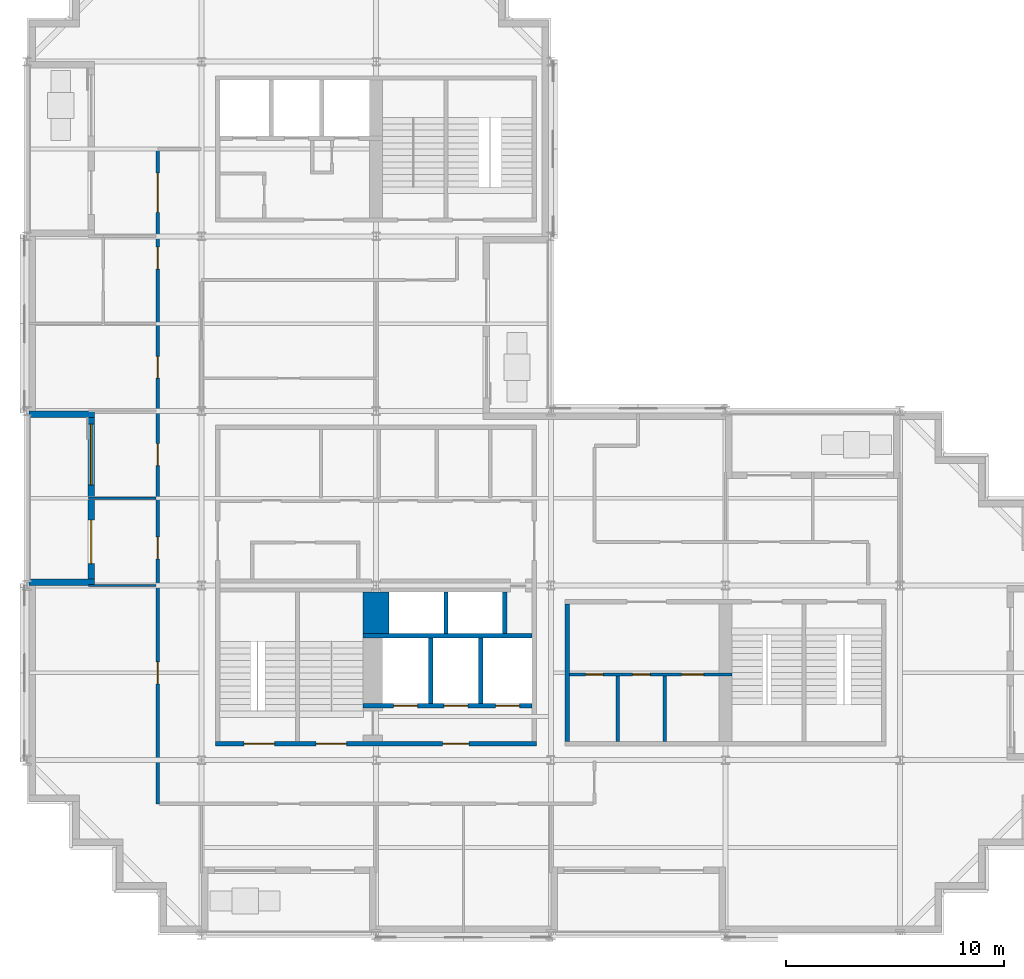
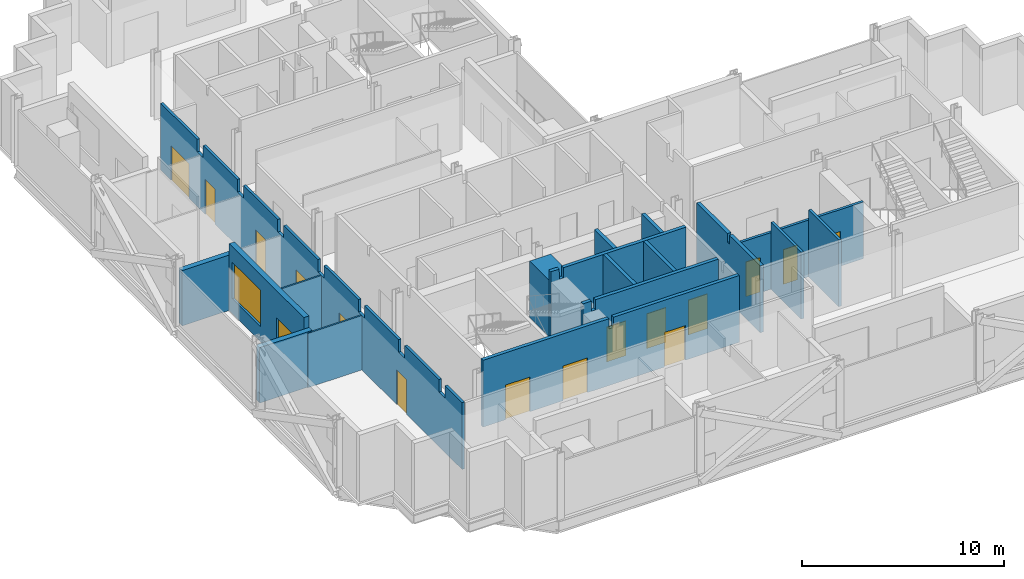
# One storey, part 5 of 12: 18 walls, 16 doors, 1 window, 17 openings.
"""IFC4 building model written with IfcOpenShell, lengths in metres."""

import ifcopenshell
import ifcopenshell.guid

model = None  # the IFC model being written
_history = None  # IfcOwnerHistory: only IFC2X3 demands one
_inside = {}  # id of a spatial element -> (the spatial element, [elements in it])
_under = {}  # id of a project, library or spatial element -> (it, [spatial elements below it])
_declared = {}  # id of a project -> (the project, [libraries it declares])
_typed = {}  # id of a type object -> (the type object, [elements of that type])
_made_of = {}  # id of a material, layer set ... -> (it, [elements and type objects made of it])


def new_model(schema):
    """Start an empty IFC model of exactly this schema.

    Asked for "IFC4X3", IfcOpenShell would pick the latest addendum, in which some entities
    have other attributes; the version numbers below select the first issue.
    IFC2X3 requires an IfcOwnerHistory on every rooted entity: one is made here for all.
    """
    global model, _history
    if schema == "IFC4X3":
        model = ifcopenshell.file(schema_version=(4, 3, 0, 0))
    else:
        model = ifcopenshell.file(schema=schema)
    _inside.clear()
    _under.clear()
    _declared.clear()
    _typed.clear()
    _made_of.clear()
    _history = None
    if model.schema == "IFC2X3":
        org = make("IfcOrganization", Name="unknown")
        user = make(
            "IfcPersonAndOrganization",
            ThePerson=make("IfcPerson", FamilyName="unknown"),
            TheOrganization=org,
        )
        app = make(
            "IfcApplication",
            ApplicationDeveloper=org,
            Version="unknown",
            ApplicationFullName="unknown",
            ApplicationIdentifier="unknown",
        )
        _history = make(
            "IfcOwnerHistory",
            OwningUser=user,
            OwningApplication=app,
            ChangeAction="ADDED",
            CreationDate=0,
        )
    return model


def make(cls, **values):
    """One entity of the class cls with the attributes given. An attribute that is None is left unset."""
    return model.create_entity(
        cls, **{name: value for name, value in values.items() if value is not None}
    )


def rooted(cls, **values):
    """An entity with a GlobalId (a new one), such as an element, a storey or a relation."""
    return make(cls, GlobalId=ifcopenshell.guid.new(), OwnerHistory=_history, **values)


def si_unit(unit_type, name, prefix=None):
    """IfcSIUnit, for example si_unit("LENGTHUNIT", "METRE", prefix="MILLI")."""
    return make("IfcSIUnit", UnitType=unit_type, Prefix=prefix, Name=name)


def assignment(units):
    """IfcUnitAssignment: the units of a project."""
    return None if units is None else make("IfcUnitAssignment", Units=units)


def point(xyz):
    """IfcCartesianPoint."""
    return None if xyz is None else make("IfcCartesianPoint", Coordinates=xyz)


def direction(xyz):
    """IfcDirection."""
    return None if xyz is None else make("IfcDirection", DirectionRatios=xyz)


def frame(location, z_axis=None, x_axis=None):
    """IfcAxis2Placement3D, a coordinate frame: its origin and axes. An axis left out is left unset."""
    return make(
        "IfcAxis2Placement3D",
        Location=point(location),
        Axis=direction(z_axis),
        RefDirection=direction(x_axis),
    )


def frame_2d(location, x_axis=None):
    """IfcAxis2Placement2D, a coordinate frame in the plane: its origin and x axis."""
    return make(
        "IfcAxis2Placement2D", Location=point(location), RefDirection=direction(x_axis)
    )


def origin():
    """The frame at (0, 0, 0) with its axes left unset."""
    return frame((0.0, 0.0, 0.0))


def place(relative_to, where):
    """IfcLocalPlacement: puts the frame where relative to a parent placement (None: the world)."""
    return make(
        "IfcLocalPlacement", PlacementRelTo=relative_to, RelativePlacement=where
    )


def context(
    kind, dimensions, precision=None, world=None, true_north=None, identifier=None
):
    """IfcGeometricRepresentationContext, for example the 3D "Model" context."""
    return make(
        "IfcGeometricRepresentationContext",
        ContextIdentifier=identifier,
        ContextType=kind,
        CoordinateSpaceDimension=dimensions,
        Precision=precision,
        WorldCoordinateSystem=world,
        TrueNorth=true_north,
    )


def subcontext(parent, identifier, kind, view, scale=None):
    """IfcGeometricRepresentationSubContext, for example "Body" below "Model"."""
    return make(
        "IfcGeometricRepresentationSubContext",
        ContextIdentifier=identifier,
        ContextType=kind,
        ParentContext=parent,
        TargetScale=scale,
        TargetView=view,
    )


def project(units=None, contexts=None):
    """IfcProject with its units and contexts."""
    return rooted(
        "IfcProject",
        Name="project",
        RepresentationContexts=contexts,
        UnitsInContext=assignment(units),
    )


def spatial(cls, under=None, at=None, **own):
    """A site, building, storey or space (cls), placed at a placement, below another one or the project."""
    s = rooted(cls, ObjectPlacement=at, **own)
    if under is not None:
        _under.setdefault(under.id(), (under, []))[1].append(s)
    return s


def polyline(points):
    """IfcPolyline through the points."""
    return make("IfcPolyline", Points=[point(p) for p in points])


def profile(cls, at=None, kind="AREA", **sizes):
    """A parametric profile (cls). Its sizes go by their IFC names, for example OverallWidth=200.0."""
    return make(cls, ProfileType=kind, Position=at, **sizes)


def rectangle(**sizes):
    """IfcRectangleProfileDef."""
    return profile("IfcRectangleProfileDef", **sizes)


def outline(outer, holes=None, kind="AREA"):
    """IfcArbitraryClosedProfileDef: a profile drawn as a closed curve; with holes, ...WithVoids."""
    if holes is None:
        return make("IfcArbitraryClosedProfileDef", ProfileType=kind, OuterCurve=outer)
    return make(
        "IfcArbitraryProfileDefWithVoids",
        ProfileType=kind,
        OuterCurve=outer,
        InnerCurves=holes,
    )


def extrude(swept, where, along, depth):
    """IfcExtrudedAreaSolid: the profile swept, set in the frame where, extruded along a direction by depth."""
    return make(
        "IfcExtrudedAreaSolid",
        SweptArea=swept,
        Position=where,
        ExtrudedDirection=direction(along),
        Depth=depth,
    )


def shape(context_of_items, identifier, shape_type, items):
    """IfcShapeRepresentation: the items that make up one representation, for example the "Body"."""
    return make(
        "IfcShapeRepresentation",
        ContextOfItems=context_of_items,
        RepresentationIdentifier=identifier,
        RepresentationType=shape_type,
        Items=items,
    )


def material(Name=None, Category=None):
    """IfcMaterial."""
    return make("IfcMaterial", Name=Name, Category=Category)


def layer(
    of_material, thickness, ventilated=None, Name=None, Category=None, Priority=None
):
    """IfcMaterialLayer: one layer of a wall or slab, of a material (None: an air gap)."""
    return make(
        "IfcMaterialLayer",
        Material=of_material,
        LayerThickness=thickness,
        IsVentilated=ventilated,
        Name=Name,
        Category=Category,
        Priority=Priority,
    )


def layer_set(layers, Name=None):
    """IfcMaterialLayerSet."""
    return make("IfcMaterialLayerSet", MaterialLayers=layers, LayerSetName=Name)


def made_of(thing, what):
    """Note that an element or type object is made of a material, layer set ...; save() writes the relation."""
    if what is not None:
        _made_of.setdefault(what.id(), (what, []))[1].append(thing)
    return thing


def type_object(cls, material=None, **own):
    """A type object (cls), such as IfcWallType, which elements share."""
    return made_of(rooted(cls, **own), material)


def element(
    cls,
    number,
    at=None,
    inside=None,
    cuts=None,
    type_object=None,
    material=None,
    context=None,
    identifier="Body",
    shape_type=None,
    held_by="IfcProductDefinitionShape",
    body=None,
    shapes=None,
    **own,
):
    """One element of the class cls, such as IfcWall. Its Tag is "e" and its number.

    at: its placement. inside: the storey or other place that contains it. cuts: it is an
    opening in that element (IfcRelVoidsElement). A single representation is given by context,
    identifier, shape_type and body (its items); several are given by shapes. held_by: the class
    of the entity that holds the representations. save() writes the other relations.
    """
    e = rooted(cls, Tag="e%d" % number, ObjectPlacement=at, **own)
    if body is not None:
        shapes = [shape(context, identifier, shape_type, body)]
    if shapes is not None:
        e.Representation = make(held_by, Representations=shapes)
    if inside is not None:
        _inside.setdefault(inside.id(), (inside, []))[1].append(e)
    if cuts is not None:
        rooted(
            "IfcRelVoidsElement", RelatingBuildingElement=cuts, RelatedOpeningElement=e
        )
    if type_object is not None:
        _typed.setdefault(type_object.id(), (type_object, []))[1].append(e)
    return made_of(e, material)


def fill(opening, filler):
    """IfcRelFillsElement: the door or window that sits in an opening."""
    return rooted(
        "IfcRelFillsElement",
        RelatingOpeningElement=opening,
        RelatedBuildingElement=filler,
    )


def aggregate(whole, parts):
    """IfcRelAggregates: a whole, such as a stair, and the parts it consists of."""
    return rooted("IfcRelAggregates", RelatingObject=whole, RelatedObjects=parts)


def save(model, path):
    """Write the relations noted so far, then the file.

    IfcRelAggregates (storeys below a building ...), IfcRelContainedInSpatialStructure (elements
    in a storey), IfcRelDefinesByType, IfcRelAssociatesMaterial and IfcRelDeclares: one each for
    every whole, place, type object, material and project.
    """
    for whole, parts in _under.values():
        aggregate(whole, parts)
    for where, things in _inside.values():
        rooted(
            "IfcRelContainedInSpatialStructure",
            RelatedElements=things,
            RelatingStructure=where,
        )
    for kind, things in _typed.values():
        rooted("IfcRelDefinesByType", RelatedObjects=things, RelatingType=kind)
    for what, things in _made_of.values():
        rooted("IfcRelAssociatesMaterial", RelatedObjects=things, RelatingMaterial=what)
    for by, libraries in _declared.values():
        rooted("IfcRelDeclares", RelatingContext=by, RelatedDefinitions=libraries)
    model.write(path)


model = new_model("IFC4")

# Units and contexts
model_context = context("Model", 3, precision=1e-05, world=origin(), true_north=direction((0.0, 1.0)))
body_context = subcontext(model_context, "Body", "Model", "MODEL_VIEW")
ifc_project = project(units=[si_unit("LENGTHUNIT", "METRE"), si_unit("AREAUNIT", "SQUARE_METRE"), si_unit("VOLUMEUNIT", "CUBIC_METRE"), si_unit("PLANEANGLEUNIT", "RADIAN"), si_unit("MASSUNIT", "GRAM", prefix="KILO")], contexts=[model_context])

# Site, building, storey
site_placement = place(None, origin())
site = spatial("IfcSite", under=ifc_project, at=site_placement, CompositionType="ELEMENT")
building_placement = place(site_placement, origin())
building = spatial("IfcBuilding", under=site, at=building_placement, Name="Immortelle Media Tower", CompositionType="ELEMENT")
storey_placement = place(building_placement, frame((0.0, 0.0, 145.199951171875)))
storey = spatial("IfcBuildingStorey", under=building, at=storey_placement, Name="L29", CompositionType="ELEMENT", Elevation=145.199951171875)

# Wall, openings, doors
ifc_material_1 = material(Name="Fire-rated gypsum board", Category="gypsum")
ifc_layer_1 = layer(ifc_material_1, 0.02490234375)
ifc_material_2 = material(Name="Steel ASTM A653 SS Gr 50 stud frame with mineral wool", Category="steel")
ifc_layer_2 = layer(ifc_material_2, 0.10009765625)
ifc_layer_3 = layer(ifc_material_1, 0.02490234375)
ifc_layer_set_1 = layer_set([ifc_layer_1, ifc_layer_2, ifc_layer_3], Name="Steel ASTM A653 SS Gr 50 stud frame with mineral wool")
wall_type_1 = type_object("IfcWallType", Name="Core partition 150", PredefinedType="PARTITIONING", material=ifc_layer_set_1)
wall_1_placement = place(storey_placement, frame((24.85009765625, 11.925048828125, 0.0), z_axis=(0.0, 0.0, 1.0), x_axis=(1.0, 0.0, 0.0)))
wall_1 = element("IfcWall", 1, at=wall_1_placement, inside=storey, type_object=wall_type_1, Name="Core partition SE", PredefinedType="PARTITIONING", context=body_context, shape_type="SweptSolid", body=[
    extrude(rectangle(XDim=7.449951171875, YDim=0.14990234375, at=frame_2d((3.72509765625, 0.0))), origin(), (0.0, 0.0, 1.0), 3.43212890625),
])
opening_1_placement = place(wall_1_placement, frame((1.550048828125, 0.0, 0.0), z_axis=(0.0, 0.0, 1.0), x_axis=(-1.0, 0.0, 0.0)))
opening_1 = element("IfcOpeningElement", 2, at=opening_1_placement, cuts=wall_1, Name="Opening C3-K017", PredefinedType="OPENING", context=body_context, shape_type="SweptSolid", body=[
    extrude(rectangle(XDim=0.800048828125, YDim=2.10009765625, at=frame_2d((0.39990234375, 1.050048828125))), frame((0.0, 0.0849609375, 0.0), z_axis=(0.0, -1.0, 0.0), x_axis=(1.0, 0.0, 0.0)), (0.0, 0.0, 1.0), 0.169921875),
])
opening_2_placement = place(wall_1_placement, frame((3.699951171875, 0.0, 0.0), z_axis=(0.0, 0.0, 1.0), x_axis=(-1.0, 0.0, 0.0)))
opening_2 = element("IfcOpeningElement", 3, at=opening_2_placement, cuts=wall_1, Name="Opening C3-K018", PredefinedType="OPENING", context=body_context, shape_type="SweptSolid", body=[
    extrude(rectangle(XDim=0.800048828125, YDim=2.10009765625, at=frame_2d((0.39990234375, 1.050048828125))), frame((0.0, 0.0849609375, 0.0), z_axis=(0.0, -1.0, 0.0), x_axis=(1.0, 0.0, 0.0)), (0.0, 0.0, 1.0), 0.169921875),
])
opening_3_placement = place(wall_1_placement, frame((6.14990234375, 0.0, 0.0), z_axis=(0.0, 0.0, 1.0), x_axis=(-1.0, 0.0, 0.0)))
opening_3 = element("IfcOpeningElement", 4, at=opening_3_placement, cuts=wall_1, Name="Opening C3-K020", PredefinedType="OPENING", context=body_context, shape_type="SweptSolid", body=[
    extrude(rectangle(XDim=1.0, YDim=2.10009765625, at=frame_2d((0.5, 1.050048828125))), frame((0.0, 0.0849609375, 0.0), z_axis=(0.0, -1.0, 0.0), x_axis=(1.0, 0.0, 0.0)), (0.0, 0.0, 1.0), 0.169921875),
])
ifc_material_3 = material(Name="Timber", Category="wood")
door_type_1 = type_object("IfcDoorType", Name="Accessible toilet door 1000 x 2100", OperationType="NOTDEFINED", PredefinedType="NOTDEFINED", material=ifc_material_3)
door_1_placement = place(opening_3_placement, origin())
door_1 = element("IfcDoor", 5, at=door_1_placement, inside=storey, type_object=door_type_1, Name="Accessible toilet C3-K020", OperationType="SINGLE_SWING_LEFT", OverallHeight=2.10009765625, OverallWidth=1.0, PredefinedType="NOTDEFINED", context=body_context, shape_type="SweptSolid", body=[
    extrude(rectangle(XDim=1.0, YDim=2.10009765625, at=frame_2d((0.5, 1.050048828125))), frame((0.0, 0.02490234375, 0.0), z_axis=(0.0, -1.0, 0.0), x_axis=(1.0, 0.0, 0.0)), (0.0, 0.0, 1.0), 0.050048828125),
])
fill(opening_3, door_1)
door_type_2 = type_object("IfcDoorType", Name="Toilet door 800 x 2100", OperationType="NOTDEFINED", PredefinedType="NOTDEFINED", material=ifc_material_3)
door_2_placement = place(opening_1_placement, origin())
door_2 = element("IfcDoor", 6, at=door_2_placement, inside=storey, type_object=door_type_2, Name="Toilet C3-K017", OperationType="SINGLE_SWING_LEFT", OverallHeight=2.10009765625, OverallWidth=0.800048828125, PredefinedType="NOTDEFINED", context=body_context, shape_type="SweptSolid", body=[
    extrude(rectangle(XDim=0.800048828125, YDim=2.10009765625, at=frame_2d((0.39990234375, 1.050048828125))), frame((0.0, 0.02490234375, 0.0), z_axis=(0.0, -1.0, 0.0), x_axis=(1.0, 0.0, 0.0)), (0.0, 0.0, 1.0), 0.050048828125),
])
fill(opening_1, door_2)
door_3_placement = place(opening_2_placement, origin())
door_3 = element("IfcDoor", 7, at=door_3_placement, inside=storey, type_object=door_type_2, Name="Toilet C3-K018", OperationType="SINGLE_SWING_LEFT", OverallHeight=2.10009765625, OverallWidth=0.800048828125, PredefinedType="NOTDEFINED", context=body_context, shape_type="SweptSolid", body=[
    extrude(rectangle(XDim=0.800048828125, YDim=2.10009765625, at=frame_2d((0.39990234375, 1.050048828125))), frame((0.0, 0.02490234375, 0.0), z_axis=(0.0, -1.0, 0.0), x_axis=(1.0, 0.0, 0.0)), (0.0, 0.0, 1.0), 0.050048828125),
])
fill(opening_2, door_3)

# Walls
for number, where, z_axis, x_axis, name in (
    (8, (27.074951171875, 8.85009765625, 0.0), (0.0, 0.0, 1.0), (0.0, 1.0, 0.0), "Core partition SE"),
    (9, (29.22509765625, 8.85009765625, 0.0), (0.0, 0.0, 1.0), (0.0, 1.0, 0.0), "Core partition SE"),
):
    element("IfcWall", number, at=place(storey_placement, frame(where, z_axis=z_axis, x_axis=x_axis)), inside=storey, type_object=wall_type_1, Name=name, PredefinedType="PARTITIONING", context=body_context, shape_type="SweptSolid", body=[
        extrude(rectangle(XDim=3.0, YDim=0.14990234375, at=frame_2d((1.5, 0.0))), origin(), (0.0, 0.0, 1.0), 4.050048828125),
    ])

# Wall, openings, doors
ifc_layer_4 = layer(ifc_material_1, 0.03759765625)
ifc_layer_5 = layer(ifc_material_2, 0.125)
ifc_layer_6 = layer(ifc_material_1, 0.03759765625)
ifc_layer_set_2 = layer_set([ifc_layer_4, ifc_layer_5, ifc_layer_6], Name="Steel ASTM A653 SS Gr 50 stud frame with mineral wool")
wall_type_2 = type_object("IfcWallType", Name="Core shaft wall 200", PredefinedType="PARTITIONING", material=ifc_layer_set_2)
wall_2_placement = place(storey_placement, frame((15.39990234375, 10.5, 0.0), z_axis=(0.0, 0.0, 1.0), x_axis=(1.0, 0.0, 0.0)))
wall_2 = element("IfcWall", 10, at=wall_2_placement, inside=storey, type_object=wall_type_2, Name="Core shaft wall SW", PredefinedType="PARTITIONING", context=body_context, shape_type="SweptSolid", body=[
    extrude(outline(polyline([(0.0, 0.0), (7.75, 0.0), (7.75, 4.050048828125), (0.719482421875, 4.050048828125), (0.718505859375, 3.43212890625), (0.4814453125, 3.43212890625), (0.48046875, 4.050048828125), (0.0, 4.050048828125), (0.0, 0.0)])), frame((0.0, 0.10009765625, 0.0), z_axis=(0.0, -1.0, 0.0), x_axis=(1.0, 0.0, 0.0)), (0.0, 0.0, 1.0), 0.199951171875),
])
opening_4_placement = place(wall_2_placement, frame((1.39990234375, 0.0, 0.0)))
opening_4 = element("IfcOpeningElement", 11, at=opening_4_placement, cuts=wall_2, Name="Opening LD", PredefinedType="OPENING", context=body_context, shape_type="SweptSolid", body=[
    extrude(rectangle(XDim=1.10009765625, YDim=2.10009765625, at=frame_2d((0.550048828125, 1.050048828125))), frame((0.0, 0.10986328125, 0.0), z_axis=(0.0, -1.0, 0.0), x_axis=(1.0, 0.0, 0.0)), (0.0, 0.0, 1.0), 0.219970703125),
])
opening_5_placement = place(wall_2_placement, frame((3.699951171875, 0.0, 0.0)))
opening_5 = element("IfcOpeningElement", 12, at=opening_5_placement, cuts=wall_2, Name="Opening LD", PredefinedType="OPENING", context=body_context, shape_type="SweptSolid", body=[
    extrude(rectangle(XDim=1.10009765625, YDim=2.10009765625, at=frame_2d((0.550048828125, 1.050048828125))), frame((0.0, 0.10986328125, 0.0), z_axis=(0.0, -1.0, 0.0), x_axis=(1.0, 0.0, 0.0)), (0.0, 0.0, 1.0), 0.219970703125),
])
opening_6_placement = place(wall_2_placement, frame((6.074951171875, 0.0, 0.0)))
opening_6 = element("IfcOpeningElement", 13, at=opening_6_placement, cuts=wall_2, Name="Opening LD", PredefinedType="OPENING", context=body_context, shape_type="SweptSolid", body=[
    extrude(rectangle(XDim=1.10009765625, YDim=2.10009765625, at=frame_2d((0.550048828125, 1.050048828125))), frame((0.0, 0.10986328125, 0.0), z_axis=(0.0, -1.0, 0.0), x_axis=(1.0, 0.0, 0.0)), (0.0, 0.0, 1.0), 0.219970703125),
])
ifc_material_4 = material(Name="Stainless steel AISI 304", Category="steel")
door_type_3 = type_object("IfcDoorType", Name="Landing door 1100 x 2100", OperationType="SLIDING_TO_LEFT", PredefinedType="NOTDEFINED", material=ifc_material_4)
door_4_placement = place(opening_4_placement, origin())
door_4 = element("IfcDoor", 14, at=door_4_placement, inside=storey, type_object=door_type_3, Name="Landing door FF1 L29", OperationType="SLIDING_TO_LEFT", OverallHeight=2.10009765625, OverallWidth=1.10009765625, PredefinedType="NOTDEFINED", context=body_context, shape_type="SweptSolid", body=[
    extrude(rectangle(XDim=1.10009765625, YDim=2.10009765625, at=frame_2d((0.550048828125, 1.050048828125))), frame((0.0, 0.02490234375, 0.0), z_axis=(0.0, -1.0, 0.0), x_axis=(1.0, 0.0, 0.0)), (0.0, 0.0, 1.0), 0.050048828125),
])
fill(opening_4, door_4)
door_5_placement = place(opening_5_placement, origin())
door_5 = element("IfcDoor", 15, at=door_5_placement, inside=storey, type_object=door_type_3, Name="Landing door FF2 L29", OperationType="SLIDING_TO_LEFT", OverallHeight=2.10009765625, OverallWidth=1.10009765625, PredefinedType="NOTDEFINED", context=body_context, shape_type="SweptSolid", body=[
    extrude(rectangle(XDim=1.10009765625, YDim=2.10009765625, at=frame_2d((0.550048828125, 1.050048828125))), frame((0.0, 0.02490234375, 0.0), z_axis=(0.0, -1.0, 0.0), x_axis=(1.0, 0.0, 0.0)), (0.0, 0.0, 1.0), 0.050048828125),
])
fill(opening_5, door_5)
door_6_placement = place(opening_6_placement, origin())
door_6 = element("IfcDoor", 16, at=door_6_placement, inside=storey, type_object=door_type_3, Name="Landing door FF3 L29", OperationType="SLIDING_TO_LEFT", OverallHeight=2.10009765625, OverallWidth=1.10009765625, PredefinedType="NOTDEFINED", context=body_context, shape_type="SweptSolid", body=[
    extrude(rectangle(XDim=1.10009765625, YDim=2.10009765625, at=frame_2d((0.550048828125, 1.050048828125))), frame((0.0, 0.02490234375, 0.0), z_axis=(0.0, -1.0, 0.0), x_axis=(1.0, 0.0, 0.0)), (0.0, 0.0, 1.0), 0.050048828125),
])
fill(opening_6, door_6)

# Walls
wall_3_placement = place(storey_placement, frame((15.39990234375, 13.699951171875, 0.0), z_axis=(0.0, 0.0, 1.0), x_axis=(1.0, 0.0, 0.0)))
element("IfcWall", 17, at=wall_3_placement, inside=storey, type_object=wall_type_2, Name="Core shaft wall SW", PredefinedType="PARTITIONING", context=body_context, shape_type="SweptSolid", body=[
    extrude(outline(polyline([(0.0, 0.0), (7.75, 0.0), (7.75, 4.050048828125), (0.719482421875, 4.050048828125), (0.718505859375, 3.43212890625), (0.4814453125, 3.43212890625), (0.48046875, 4.050048828125), (0.0, 4.050048828125), (0.0, 0.0)])), frame((0.0, 0.10009765625, 0.0), z_axis=(0.0, -1.0, 0.0), x_axis=(1.0, 0.0, 0.0)), (0.0, 0.0, 1.0), 0.199951171875),
])
wall_4_placement = place(storey_placement, frame((18.5, 10.60009765625, 0.0), z_axis=(0.0, 0.0, 1.0), x_axis=(0.0, 1.0, 0.0)))
element("IfcWall", 18, at=wall_4_placement, inside=storey, type_object=wall_type_2, Name="Core shaft wall SW", PredefinedType="PARTITIONING", context=body_context, shape_type="SweptSolid", body=[
    extrude(rectangle(XDim=3.0, YDim=0.199951171875, at=frame_2d((1.5, 0.0))), origin(), (0.0, 0.0, 1.0), 4.050048828125),
])
wall_5_placement = place(storey_placement, frame((19.199951171875, 13.800048828125, 0.0), z_axis=(0.0, 0.0, 1.0), x_axis=(0.0, 1.0, 0.0)))
element("IfcWall", 19, at=wall_5_placement, inside=storey, type_object=wall_type_2, Name="Core shaft wall SW", PredefinedType="PARTITIONING", context=body_context, shape_type="SweptSolid", body=[
    extrude(rectangle(XDim=1.89990234375, YDim=0.199951171875, at=frame_2d((0.949951171875, 0.0))), origin(), (0.0, 0.0, 1.0), 4.050048828125),
])
wall_6_placement = place(storey_placement, frame((20.800048828125, 10.60009765625, 0.0), z_axis=(0.0, 0.0, 1.0), x_axis=(0.0, 1.0, 0.0)))
element("IfcWall", 20, at=wall_6_placement, inside=storey, type_object=wall_type_2, Name="Core shaft wall SW", PredefinedType="PARTITIONING", context=body_context, shape_type="SweptSolid", body=[
    extrude(rectangle(XDim=3.0, YDim=0.199951171875, at=frame_2d((1.5, 0.0))), origin(), (0.0, 0.0, 1.0), 4.050048828125),
])
wall_7_placement = place(storey_placement, frame((21.89990234375, 13.800048828125, 0.0), z_axis=(0.0, 0.0, 1.0), x_axis=(0.0, 1.0, 0.0)))
element("IfcWall", 21, at=wall_7_placement, inside=storey, type_object=wall_type_2, Name="Core shaft wall SW", PredefinedType="PARTITIONING", context=body_context, shape_type="SweptSolid", body=[
    extrude(rectangle(XDim=1.89990234375, YDim=0.199951171875, at=frame_2d((0.949951171875, 0.0))), origin(), (0.0, 0.0, 1.0), 4.050048828125),
])
wall_8_placement = place(storey_placement, frame((24.75, 8.85009765625, 0.0), z_axis=(0.0, 0.0, 1.0), x_axis=(0.0, 1.0, 0.0)))
element("IfcWall", 22, at=wall_8_placement, inside=storey, type_object=wall_type_2, Name="Core shaft wall SE", PredefinedType="PARTITIONING", context=body_context, shape_type="SweptSolid", body=[
    extrude(outline(polyline([(0.0, 0.0), (6.2998046875, 0.0), (6.300048828125, 4.050048828125), (3.237548828125, 4.050048828125), (3.236572265625, 3.51806640625), (3.0634765625, 3.51806640625), (3.0625, 4.050048828125), (0.0, 4.050048828125), (0.0, 0.0)])), frame((0.0, 0.10009765625, 0.0), z_axis=(0.0, -1.0, 0.0), x_axis=(1.0, 0.0, 0.0)), (0.0, 0.0, 1.0), 0.199951171875),
])

# Wall, openings, doors
ifc_layer_7 = layer(ifc_material_1, 0.012451171875)
ifc_layer_8 = layer(ifc_material_2, 0.125)
ifc_layer_9 = layer(ifc_material_1, 0.012451171875)
ifc_layer_set_3 = layer_set([ifc_layer_7, ifc_layer_8, ifc_layer_9], Name="Steel ASTM A653 SS Gr 50 stud frame with mineral wool")
wall_type_3 = type_object("IfcWallType", Name="Corridor wall 150", PredefinedType="PARTITIONING", material=ifc_layer_set_3)
wall_9_placement = place(storey_placement, frame((6.0, 6.0, 0.0), z_axis=(0.0, 0.0, 1.0), x_axis=(0.0, 1.0, 0.0)))
wall_9 = element("IfcWall", 23, at=wall_9_placement, inside=storey, type_object=wall_type_3, Name="Partition L29-006", PredefinedType="PARTITIONING", context=body_context, shape_type="SweptSolid", body=[
    extrude(outline(polyline([(0.0, 0.0), (29.925048828125, 0.0), (29.925048828125, 4.050048828125), (26.300048828125, 4.050048828125), (26.298095703125, 3.2880859375), (25.701904296875, 3.2880859375), (25.699951171875, 4.050048828125), (22.300048828125, 4.050048828125), (22.298095703125, 3.2880859375), (21.701904296875, 3.2880859375), (21.699951171875, 4.050048828125), (18.300048828125, 4.050048828125), (18.298095703125, 3.2880859375), (17.701904296875, 3.2880859375), (17.699951171875, 4.050048828125), (14.300048828125, 4.050048828125), (14.298095703125, 3.2880859375), (13.701904296875, 3.2880859375), (13.699951171875, 4.050048828125), (10.300048828125, 4.050048828125), (10.298095703125, 3.2880859375), (9.701904296875, 3.2880859375), (9.699951171875, 4.050048828125), (6.300048828125, 4.050048828125), (6.298095703125, 3.2880859375), (5.701904296875, 3.2880859375), (5.699951171875, 4.050048828125), (2.300048828125, 4.050048828125), (2.298095703125, 3.2880859375), (1.701904296875, 3.2880859375), (1.699951171875, 4.050048828125), (0.0, 4.050048828125), (0.0, 0.0)])), frame((0.0, 0.074951171875, 0.0), z_axis=(0.0, -1.0, 0.0), x_axis=(1.0, 0.0, 0.0)), (0.0, 0.0, 1.0), 0.14990234375),
])
opening_7_placement = place(wall_9_placement, frame((5.5, 0.0, 0.0)))
opening_7 = element("IfcOpeningElement", 24, at=opening_7_placement, cuts=wall_9, Name="Opening C3-F005", PredefinedType="OPENING", context=body_context, shape_type="SweptSolid", body=[
    extrude(rectangle(XDim=1.0, YDim=2.10009765625, at=frame_2d((0.5, 1.050048828125))), frame((0.0, 0.0849609375, 0.0), z_axis=(0.0, -1.0, 0.0), x_axis=(1.0, 0.0, 0.0)), (0.0, 0.0, 1.0), 0.169921875),
])
opening_8_placement = place(wall_9_placement, frame((11.22509765625, 0.0, 0.0)))
opening_8 = element("IfcOpeningElement", 25, at=opening_8_placement, cuts=wall_9, Name="Opening C3-F008", PredefinedType="OPENING", context=body_context, shape_type="SweptSolid", body=[
    extrude(rectangle(XDim=1.0, YDim=2.10009765625, at=frame_2d((0.5, 1.050048828125))), frame((0.0, 0.0849609375, 0.0), z_axis=(0.0, -1.0, 0.0), x_axis=(1.0, 0.0, 0.0)), (0.0, 0.0, 1.0), 0.169921875),
])
opening_9_placement = place(wall_9_placement, frame((15.5, 0.0, 0.0)))
opening_9 = element("IfcOpeningElement", 26, at=opening_9_placement, cuts=wall_9, Name="Opening C3-F009", PredefinedType="OPENING", context=body_context, shape_type="SweptSolid", body=[
    extrude(rectangle(XDim=1.0, YDim=2.10009765625, at=frame_2d((0.5, 1.050048828125))), frame((0.0, 0.0849609375, 0.0), z_axis=(0.0, -1.0, 0.0), x_axis=(1.0, 0.0, 0.0)), (0.0, 0.0, 1.0), 0.169921875),
])
opening_10_placement = place(wall_9_placement, frame((19.5, 0.0, 0.0)))
opening_10 = element("IfcOpeningElement", 27, at=opening_10_placement, cuts=wall_9, Name="Opening C3-F014", PredefinedType="OPENING", context=body_context, shape_type="SweptSolid", body=[
    extrude(rectangle(XDim=1.0, YDim=2.10009765625, at=frame_2d((0.5, 1.050048828125))), frame((0.0, 0.0849609375, 0.0), z_axis=(0.0, -1.0, 0.0), x_axis=(1.0, 0.0, 0.0)), (0.0, 0.0, 1.0), 0.169921875),
])
opening_11_placement = place(wall_9_placement, frame((24.5, 0.0, 0.0)))
opening_11 = element("IfcOpeningElement", 28, at=opening_11_placement, cuts=wall_9, Name="Opening C3-F015", PredefinedType="OPENING", context=body_context, shape_type="SweptSolid", body=[
    extrude(rectangle(XDim=1.0, YDim=2.10009765625, at=frame_2d((0.5, 1.050048828125))), frame((0.0, 0.0849609375, 0.0), z_axis=(0.0, -1.0, 0.0), x_axis=(1.0, 0.0, 0.0)), (0.0, 0.0, 1.0), 0.169921875),
])
opening_12_placement = place(wall_9_placement, frame((27.10009765625, 0.0, 0.0)))
opening_12 = element("IfcOpeningElement", 29, at=opening_12_placement, cuts=wall_9, Name="Opening C3-F017", PredefinedType="OPENING", context=body_context, shape_type="SweptSolid", body=[
    extrude(rectangle(XDim=1.800048828125, YDim=2.10009765625, at=frame_2d((0.89990234375, 1.050048828125))), frame((0.0, 0.0849609375, 0.0), z_axis=(0.0, -1.0, 0.0), x_axis=(1.0, 0.0, 0.0)), (0.0, 0.0, 1.0), 0.169921875),
])
ifc_material_5 = material(Name="Timber veneered door leaf, galvanised steel frame ASTM A653", Category="steel")
door_type_4 = type_object("IfcDoorType", Name="Room door 1000 x 2100", OperationType="NOTDEFINED", PredefinedType="DOOR", material=ifc_material_5)
door_7_placement = place(opening_7_placement, origin())
door_7 = element("IfcDoor", 30, at=door_7_placement, inside=storey, type_object=door_type_4, Name="Door C3-F005", OperationType="SINGLE_SWING_RIGHT", OverallHeight=2.10009765625, OverallWidth=1.0, PredefinedType="DOOR", context=body_context, shape_type="SweptSolid", body=[
    extrude(rectangle(XDim=1.0, YDim=2.10009765625, at=frame_2d((0.5, 1.050048828125))), frame((0.0, 0.02490234375, 0.0), z_axis=(0.0, -1.0, 0.0), x_axis=(1.0, 0.0, 0.0)), (0.0, 0.0, 1.0), 0.050048828125),
])
fill(opening_7, door_7)
door_8_placement = place(opening_8_placement, origin())
door_8 = element("IfcDoor", 31, at=door_8_placement, inside=storey, type_object=door_type_4, Name="Door C3-F008", OperationType="SINGLE_SWING_LEFT", OverallHeight=2.10009765625, OverallWidth=1.0, PredefinedType="DOOR", context=body_context, shape_type="SweptSolid", body=[
    extrude(rectangle(XDim=1.0, YDim=2.10009765625, at=frame_2d((0.5, 1.050048828125))), frame((0.0, 0.02490234375, 0.0), z_axis=(0.0, -1.0, 0.0), x_axis=(1.0, 0.0, 0.0)), (0.0, 0.0, 1.0), 0.050048828125),
])
fill(opening_8, door_8)
door_9_placement = place(opening_9_placement, origin())
door_9 = element("IfcDoor", 32, at=door_9_placement, inside=storey, type_object=door_type_4, Name="Door C3-F009", OperationType="SINGLE_SWING_RIGHT", OverallHeight=2.10009765625, OverallWidth=1.0, PredefinedType="DOOR", context=body_context, shape_type="SweptSolid", body=[
    extrude(rectangle(XDim=1.0, YDim=2.10009765625, at=frame_2d((0.5, 1.050048828125))), frame((0.0, 0.02490234375, 0.0), z_axis=(0.0, -1.0, 0.0), x_axis=(1.0, 0.0, 0.0)), (0.0, 0.0, 1.0), 0.050048828125),
])
fill(opening_9, door_9)
door_10_placement = place(opening_10_placement, origin())
door_10 = element("IfcDoor", 33, at=door_10_placement, inside=storey, type_object=door_type_4, Name="Door C3-F014", OperationType="SINGLE_SWING_RIGHT", OverallHeight=2.10009765625, OverallWidth=1.0, PredefinedType="DOOR", context=body_context, shape_type="SweptSolid", body=[
    extrude(rectangle(XDim=1.0, YDim=2.10009765625, at=frame_2d((0.5, 1.050048828125))), frame((0.0, 0.02490234375, 0.0), z_axis=(0.0, -1.0, 0.0), x_axis=(1.0, 0.0, 0.0)), (0.0, 0.0, 1.0), 0.050048828125),
])
fill(opening_10, door_10)
door_11_placement = place(opening_11_placement, origin())
door_11 = element("IfcDoor", 34, at=door_11_placement, inside=storey, type_object=door_type_4, Name="Door C3-F015", OperationType="SINGLE_SWING_RIGHT", OverallHeight=2.10009765625, OverallWidth=1.0, PredefinedType="DOOR", context=body_context, shape_type="SweptSolid", body=[
    extrude(rectangle(XDim=1.0, YDim=2.10009765625, at=frame_2d((0.5, 1.050048828125))), frame((0.0, 0.02490234375, 0.0), z_axis=(0.0, -1.0, 0.0), x_axis=(1.0, 0.0, 0.0)), (0.0, 0.0, 1.0), 0.050048828125),
])
fill(opening_11, door_11)
door_type_5 = type_object("IfcDoorType", Name="Room door 1800 x 2100", OperationType="DOUBLE_DOOR_SINGLE_SWING", PredefinedType="DOOR", material=ifc_material_5)
door_12_placement = place(opening_12_placement, origin())
door_12 = element("IfcDoor", 35, at=door_12_placement, inside=storey, type_object=door_type_5, Name="Door C3-F017", OperationType="DOUBLE_DOOR_SINGLE_SWING", OverallHeight=2.10009765625, OverallWidth=1.800048828125, PredefinedType="DOOR", context=body_context, shape_type="SweptSolid", body=[
    extrude(rectangle(XDim=1.800048828125, YDim=2.10009765625, at=frame_2d((0.89990234375, 1.050048828125))), frame((0.0, 0.02490234375, 0.0), z_axis=(0.0, -1.0, 0.0), x_axis=(1.0, 0.0, 0.0)), (0.0, 0.0, 1.0), 0.050048828125),
])
fill(opening_12, door_12)

# Wall, openings, door, window
ifc_material_6 = material(Name="Pale aluminium cladding panel", Category="aluminium")
ifc_layer_10 = layer(ifc_material_6, 0.030029296875)
ifc_layer_11 = layer(ifc_material_2, 0.257568359375)
ifc_material_7 = material(Name="Moisture-resistant gypsum board", Category="gypsum")
ifc_layer_12 = layer(ifc_material_7, 0.012451171875)
ifc_layer_set_4 = layer_set([ifc_layer_10, ifc_layer_11, ifc_layer_12], Name="Steel ASTM A653 SS Gr 50 stud frame with mineral wool")
wall_type_4 = type_object("IfcWallType", Name="Facade wall 300", PredefinedType="SOLIDWALL", material=ifc_layer_set_4)
wall_10_placement = place(storey_placement, frame((2.949951171875, 23.699951171875, 0.0), z_axis=(0.0, 0.0, 1.0), x_axis=(0.0, -1.0, 0.0)))
wall_10 = element("IfcWall", 36, at=wall_10_placement, inside=storey, type_object=wall_type_4, Name="Loggia wall L29 W35", PredefinedType="SOLIDWALL", context=body_context, shape_type="SweptSolid", body=[
    extrude(rectangle(XDim=7.39990234375, YDim=0.300048828125, at=frame_2d((3.699951171875, 0.0))), origin(), (0.0, 0.0, 1.0), 4.050048828125),
])
opening_13_placement = place(wall_10_placement, frame((0.300048828125, 0.0, 0.89990234375)))
opening_13 = element("IfcOpeningElement", 37, at=opening_13_placement, cuts=wall_10, Name="Opening W1", PredefinedType="OPENING", context=body_context, shape_type="SweptSolid", body=[
    extrude(rectangle(XDim=2.800048828125, YDim=2.199951171875, at=frame_2d((1.39990234375, 1.10009765625))), frame((0.0, 0.159912109375, 0.0), z_axis=(0.0, -1.0, 0.0), x_axis=(1.0, 0.0, 0.0)), (0.0, 0.0, 1.0), 0.320068359375),
])
opening_14_placement = place(wall_10_placement, frame((4.699951171875, 0.0, 0.0)))
opening_14 = element("IfcOpeningElement", 38, at=opening_14_placement, cuts=wall_10, Name="Opening C3-E008", PredefinedType="OPENING", context=body_context, shape_type="SweptSolid", body=[
    extrude(rectangle(XDim=2.0, YDim=2.39990234375, at=frame_2d((1.0, 1.199951171875))), frame((0.0, 0.159912109375, 0.0), z_axis=(0.0, -1.0, 0.0), x_axis=(1.0, 0.0, 0.0)), (0.0, 0.0, 1.0), 0.320068359375),
])
ifc_material_8 = material(Name="Aluminium frame, glazed leaves", Category="aluminium")
door_type_6 = type_object("IfcDoorType", Name="Loggia door 2000 x 2400", OperationType="DOUBLE_DOOR_SINGLE_SWING", PredefinedType="DOOR", material=ifc_material_8)
door_13_placement = place(opening_14_placement, origin())
door_13 = element("IfcDoor", 39, at=door_13_placement, inside=storey, type_object=door_type_6, Name="Door C3-E008", OperationType="DOUBLE_DOOR_SINGLE_SWING", OverallHeight=2.39990234375, OverallWidth=2.0, PredefinedType="DOOR", context=body_context, shape_type="SweptSolid", body=[
    extrude(rectangle(XDim=2.0, YDim=2.39990234375, at=frame_2d((1.0, 1.199951171875))), frame((0.0, 0.02490234375, 0.0), z_axis=(0.0, -1.0, 0.0), x_axis=(1.0, 0.0, 0.0)), (0.0, 0.0, 1.0), 0.050048828125),
])
fill(opening_14, door_13)
ifc_material_9 = material(Name="Aluminium frame", Category="aluminium")
window_type = type_object("IfcWindowType", Name="Window 2800 x 2200", PartitioningType="SINGLE_PANEL", PredefinedType="WINDOW", material=ifc_material_9)
window_placement = place(opening_13_placement, origin())
window = element("IfcWindow", 40, at=window_placement, inside=storey, type_object=window_type, Name="Window L29 L29-R35-B2", OverallHeight=2.199951171875, OverallWidth=2.800048828125, PartitioningType="SINGLE_PANEL", PredefinedType="WINDOW", context=body_context, shape_type="SweptSolid", body=[
    extrude(rectangle(XDim=2.800048828125, YDim=2.199951171875, at=frame_2d((1.39990234375, 1.10009765625))), frame((0.0, 0.030029296875, 0.0), z_axis=(0.0, -1.0, 0.0), x_axis=(1.0, 0.0, 0.0)), (0.0, 0.0, 1.0), 0.06005859375),
])
fill(opening_13, window)

# Walls
for number, where, z_axis, x_axis, name in (
    (41, (0.10009765625, 23.85009765625, 0.0), (0.0, 0.0, 1.0), (1.0, 0.0, 0.0), "Loggia cheek wall L29 W"),
    (42, (0.10009765625, 16.14990234375, 0.0), (0.0, 0.0, 1.0), (1.0, 0.0, 0.0), "Loggia cheek wall L29 W"),
):
    element("IfcWall", number, at=place(storey_placement, frame(where, z_axis=z_axis, x_axis=x_axis)), inside=storey, type_object=wall_type_4, Name=name, PredefinedType="SOLIDWALL", context=body_context, shape_type="SweptSolid", body=[
        extrude(rectangle(XDim=3.0, YDim=0.300048828125, at=frame_2d((1.5, 0.0))), origin(), (0.0, 0.0, 1.0), 3.35595703125),
    ])
ifc_material_10 = material(Name="Gypsum board", Category="gypsum")
ifc_layer_13 = layer(ifc_material_10, 0.012451171875)
ifc_layer_14 = layer(ifc_material_2, 0.074951171875)
ifc_layer_15 = layer(ifc_material_10, 0.012451171875)
ifc_layer_set_5 = layer_set([ifc_layer_13, ifc_layer_14, ifc_layer_15], Name="Steel ASTM A653 SS Gr 50 stud frame with mineral wool")
wall_type_5 = type_object("IfcWallType", Name="Partition 100", PredefinedType="PARTITIONING", material=ifc_layer_set_5)
for number, where, z_axis, x_axis, name in (
    (43, (2.830078125, 16.0, 0.0), (0.0, 0.0, 1.0), (1.0, 0.0, 0.0), "Partition L29-008"),
    (44, (2.830078125, 20.0, 0.0), (0.0, 0.0, 1.0), (1.0, 0.0, 0.0), "Partition L29-015"),
):
    element("IfcWall", number, at=place(storey_placement, frame(where, z_axis=z_axis, x_axis=x_axis)), inside=storey, type_object=wall_type_5, Name=name, PredefinedType="PARTITIONING", context=body_context, shape_type="SweptSolid", body=[
        extrude(rectangle(XDim=3.094970703125, YDim=0.10009765625, at=frame_2d((1.54736328125, 0.0))), origin(), (0.0, 0.0, 1.0), 3.2880859375),
    ])
ifc_material_11 = material(Name="Concrete C60", Category="concrete")
ifc_layer_16 = layer(ifc_material_11, 1.199951171875)
ifc_layer_set_6 = layer_set([ifc_layer_16], Name="Concrete C60")
wall_type_6 = type_object("IfcWallType", Name="Stair shaft wall 1200", PredefinedType="PARTITIONING", material=ifc_layer_set_6)
wall_11_placement = place(storey_placement, frame((16.0, 13.800048828125, 0.0), z_axis=(0.0, 0.0, 1.0), x_axis=(0.0, 1.0, 0.0)))
element("IfcWall", 45, at=wall_11_placement, inside=storey, type_object=wall_type_6, Name="Stair shaft wall SW", PredefinedType="PARTITIONING", context=body_context, shape_type="SweptSolid", body=[
    extrude(rectangle(XDim=1.89990234375, YDim=1.199951171875, at=frame_2d((0.949951171875, 0.0))), origin(), (0.0, 0.0, 1.0), 3.43212890625),
])

# Wall, openings, doors
ifc_layer_17 = layer(ifc_material_11, 0.199951171875)
ifc_layer_set_7 = layer_set([ifc_layer_17], Name="Concrete C60")
wall_type_7 = type_object("IfcWallType", Name="Stair shaft wall 200", PredefinedType="PARTITIONING", material=ifc_layer_set_7)
wall_12_placement = place(storey_placement, frame((8.64990234375, 8.75, 0.0), z_axis=(0.0, 0.0, 1.0), x_axis=(1.0, 0.0, 0.0)))
wall_12 = element("IfcWall", 46, at=wall_12_placement, inside=storey, type_object=wall_type_7, Name="Stair shaft wall SW", PredefinedType="PARTITIONING", context=body_context, shape_type="SweptSolid", body=[
    extrude(outline(polyline([(0.0, 0.0), (14.7001953125, 0.0), (14.699951171875, 4.050048828125), (7.469482421875, 4.050048828125), (7.468505859375, 3.43212890625), (7.2314453125, 3.43212890625), (7.23046875, 4.050048828125), (0.0, 4.050048828125), (0.0, 0.0)])), frame((0.0, 0.10009765625, 0.0), z_axis=(0.0, -1.0, 0.0), x_axis=(1.0, 0.0, 0.0)), (0.0, 0.0, 1.0), 0.199951171875),
])
opening_15_placement = place(wall_12_placement, frame((1.300048828125, 0.0, 0.0)))
opening_15 = element("IfcOpeningElement", 47, at=opening_15_placement, cuts=wall_12, Name="Opening C3-K002", PredefinedType="OPENING", context=body_context, shape_type="SweptSolid", body=[
    extrude(rectangle(XDim=1.39990234375, YDim=2.10009765625, at=frame_2d((0.699951171875, 1.050048828125))), frame((0.0, 0.10986328125, 0.0), z_axis=(0.0, -1.0, 0.0), x_axis=(1.0, 0.0, 0.0)), (0.0, 0.0, 1.0), 0.219970703125),
])
opening_16_placement = place(wall_12_placement, frame((4.60009765625, 0.0, 0.0)))
opening_16 = element("IfcOpeningElement", 48, at=opening_16_placement, cuts=wall_12, Name="Opening C3-K005", PredefinedType="OPENING", context=body_context, shape_type="SweptSolid", body=[
    extrude(rectangle(XDim=1.39990234375, YDim=2.10009765625, at=frame_2d((0.699951171875, 1.050048828125))), frame((0.0, 0.10986328125, 0.0), z_axis=(0.0, -1.0, 0.0), x_axis=(1.0, 0.0, 0.0)), (0.0, 0.0, 1.0), 0.219970703125),
])
opening_17_placement = place(wall_12_placement, frame((10.39990234375, 0.0, 0.0)))
opening_17 = element("IfcOpeningElement", 49, at=opening_17_placement, cuts=wall_12, Name="Opening C3-K010", PredefinedType="OPENING", context=body_context, shape_type="SweptSolid", body=[
    extrude(rectangle(XDim=1.199951171875, YDim=2.10009765625, at=frame_2d((0.60009765625, 1.050048828125))), frame((0.0, 0.10986328125, 0.0), z_axis=(0.0, -1.0, 0.0), x_axis=(1.0, 0.0, 0.0)), (0.0, 0.0, 1.0), 0.219970703125),
])
ifc_material_12 = material(Name="Galvanised steel door leaf and frame ASTM A653", Category="steel")
door_type_7 = type_object("IfcDoorType", Name="Fire-fighting lobby door 1200 x 2100", OperationType="NOTDEFINED", PredefinedType="NOTDEFINED", material=ifc_material_12)
door_14_placement = place(opening_17_placement, origin())
door_14 = element("IfcDoor", 50, at=door_14_placement, inside=storey, type_object=door_type_7, Name="Fire-fighting lobby C3-K010", OperationType="SINGLE_SWING_LEFT", OverallHeight=2.10009765625, OverallWidth=1.199951171875, PredefinedType="NOTDEFINED", context=body_context, shape_type="SweptSolid", body=[
    extrude(rectangle(XDim=1.199951171875, YDim=2.10009765625, at=frame_2d((0.60009765625, 1.050048828125))), frame((0.0, 0.02490234375, 0.0), z_axis=(0.0, -1.0, 0.0), x_axis=(1.0, 0.0, 0.0)), (0.0, 0.0, 1.0), 0.050048828125),
])
fill(opening_17, door_14)
door_type_8 = type_object("IfcDoorType", Name="Stair door 1400 x 2100", OperationType="DOUBLE_DOOR_SINGLE_SWING", PredefinedType="NOTDEFINED", material=ifc_material_12)
door_15_placement = place(opening_15_placement, origin())
door_15 = element("IfcDoor", 51, at=door_15_placement, inside=storey, type_object=door_type_8, Name="Stair C3-K002", OperationType="DOUBLE_DOOR_SINGLE_SWING", OverallHeight=2.10009765625, OverallWidth=1.39990234375, PredefinedType="NOTDEFINED", context=body_context, shape_type="SweptSolid", body=[
    extrude(rectangle(XDim=1.39990234375, YDim=2.10009765625, at=frame_2d((0.699951171875, 1.050048828125))), frame((0.0, 0.02490234375, 0.0), z_axis=(0.0, -1.0, 0.0), x_axis=(1.0, 0.0, 0.0)), (0.0, 0.0, 1.0), 0.050048828125),
])
fill(opening_15, door_15)
door_16_placement = place(opening_16_placement, origin())
door_16 = element("IfcDoor", 52, at=door_16_placement, inside=storey, type_object=door_type_8, Name="Stair C3-K005", OperationType="DOUBLE_DOOR_SINGLE_SWING", OverallHeight=2.10009765625, OverallWidth=1.39990234375, PredefinedType="NOTDEFINED", context=body_context, shape_type="SweptSolid", body=[
    extrude(rectangle(XDim=1.39990234375, YDim=2.10009765625, at=frame_2d((0.699951171875, 1.050048828125))), frame((0.0, 0.02490234375, 0.0), z_axis=(0.0, -1.0, 0.0), x_axis=(1.0, 0.0, 0.0)), (0.0, 0.0, 1.0), 0.050048828125),
])
fill(opening_16, door_16)

save(model, "model.ifc")
